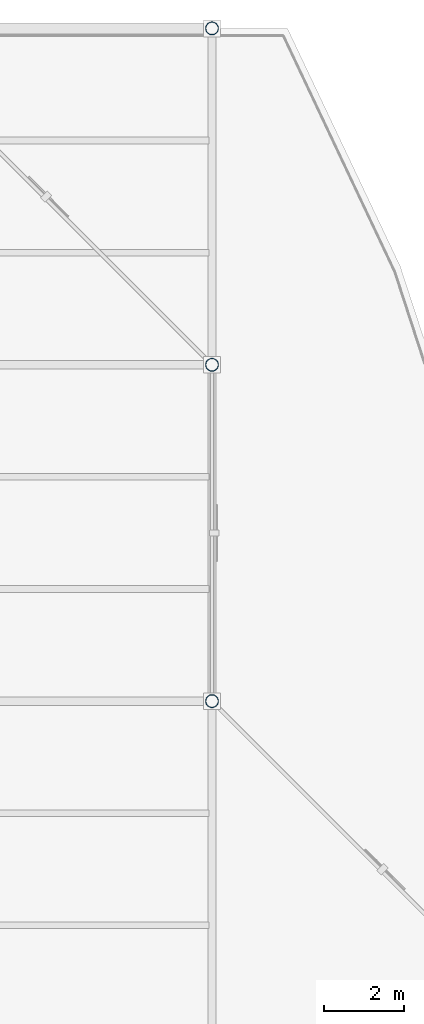
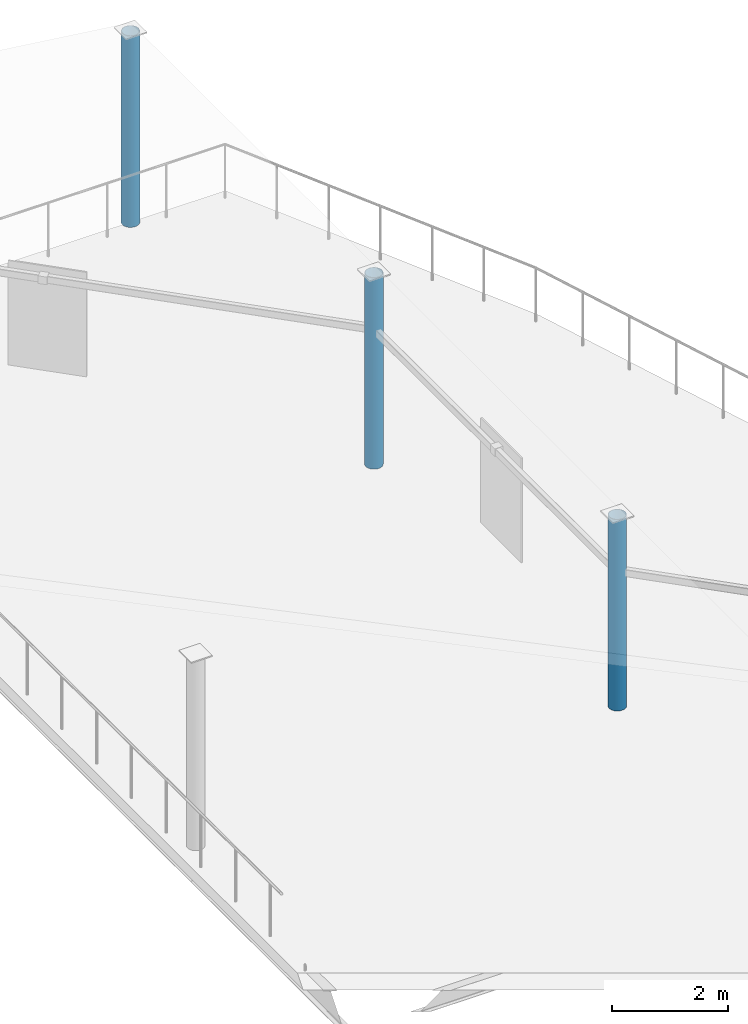
# One storey, part 13 of 65: 3 columns.
"""IFC4 building model written with IfcOpenShell, lengths in metres."""

from ifc_helpers import new_model, si_unit, direction, frame, origin, origin_2d, place, context, subcontext, project, spatial, hollow_circle, extrude, material, material_profile, profile_set, type_object, element, save


model = new_model("IFC4")

# Units and contexts
model_context = context("Model", 3, precision=1e-05, world=origin(), true_north=direction((0.0, 1.0)))
body_context = subcontext(model_context, "Body", "Model", "MODEL_VIEW")
ifc_project = project(units=[si_unit("LENGTHUNIT", "METRE"), si_unit("AREAUNIT", "SQUARE_METRE"), si_unit("VOLUMEUNIT", "CUBIC_METRE"), si_unit("PLANEANGLEUNIT", "RADIAN"), si_unit("MASSUNIT", "GRAM", prefix="KILO")], contexts=[model_context])

# Site, building, storey
site_placement = place(None, origin())
site = spatial("IfcSite", under=ifc_project, at=site_placement, CompositionType="ELEMENT")
building_placement = place(site_placement, origin())
building = spatial("IfcBuilding", under=site, at=building_placement, Name="Qalvenar Corner Mobility Hub", CompositionType="ELEMENT")
storey_placement = place(building_placement, frame((0.0, 0.0, 17.39990234375)))
storey = spatial("IfcBuildingStorey", under=building, at=storey_placement, Name="L04", CompositionType="ELEMENT", Elevation=17.39990234375)

# Columns
ifc_material = material(Name="Steel S355", Category="steel")
ifc_material_profile = material_profile(ifc_material, hollow_circle(Radius=0.161865234375, WallThickness=0.010009765625, at=origin_2d()), Name="CHS323.9x10")
ifc_profile_set = profile_set([ifc_material_profile], Name="Steel S355")
column_type = type_object("IfcColumnType", Name="COL-CHS323", PredefinedType="COLUMN", material=ifc_profile_set)
for number, where, z_axis, x_axis, name in (
    (1, (168.0, 100.800048828125, 0.0), (0.0, 0.0, 1.0), (1.0, 0.0, 0.0), "Steel Column L04-G21-12"),
    (2, (168.0, 109.199951171875, 0.0), (0.0, 0.0, 1.0), (1.0, 0.0, 0.0), "Steel Column L04-G21-13"),
    (3, (168.0, 117.60009765625, 0.0), (0.0, 0.0, 1.0), (1.0, 0.0, 0.0), "Steel Column L04-G21-14"),
):
    element("IfcColumn", number, at=place(storey_placement, frame(where, z_axis=z_axis, x_axis=x_axis)), inside=storey, type_object=column_type, Name=name, PredefinedType="COLUMN", context=body_context, shape_type="SweptSolid", body=[
        extrude(hollow_circle(Radius=0.161865234375, WallThickness=0.010009765625, at=origin_2d()), origin(), (0.0, 0.0, 1.0), 4.030029296875),
    ])

save(model, "model.ifc")
